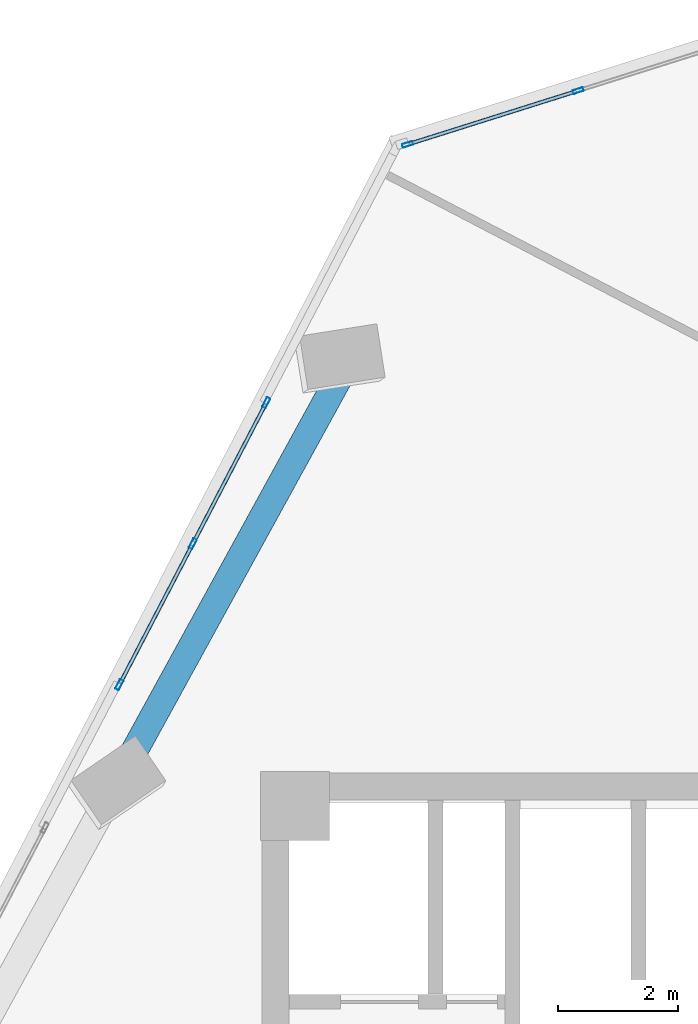
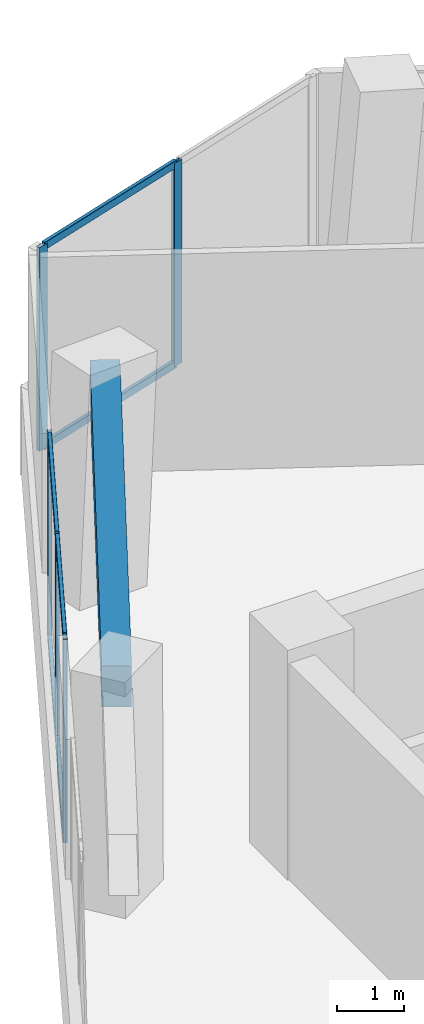
# One storey, part 12 of 22: 11 members, 1 beam, 2 elements without a shape of their own.
"""IFC4 building model written with IfcOpenShell, lengths in metres."""

from ifc_helpers import new_model, si_unit, direction, frame, origin, origin_2d, place, context, subcontext, project, spatial, rectangle, hollow_rectangle, extrude, source, transform, mapped, material, material_profile, profile_set, type_object, element, aggregate, save


model = new_model("IFC4")

# Units and contexts
model_context = context("Model", 3, precision=1e-05, world=origin(), true_north=direction((0.0, 1.0)))
body_context = subcontext(model_context, "Body", "Model", "MODEL_VIEW")
ifc_project = project(units=[si_unit("LENGTHUNIT", "METRE"), si_unit("AREAUNIT", "SQUARE_METRE"), si_unit("VOLUMEUNIT", "CUBIC_METRE"), si_unit("PLANEANGLEUNIT", "RADIAN"), si_unit("MASSUNIT", "GRAM", prefix="KILO")], contexts=[model_context])

# Site, building, storey
site_placement = place(None, origin())
site = spatial("IfcSite", under=ifc_project, at=site_placement, CompositionType="ELEMENT")
building_placement = place(site_placement, origin())
building = spatial("IfcBuilding", under=site, at=building_placement, Name="Torre Montelarca", CompositionType="ELEMENT")
storey_placement = place(building_placement, frame((0.0, 0.0, 170.800048828125)))
storey = spatial("IfcBuildingStorey", under=building, at=storey_placement, Name="L38", CompositionType="ELEMENT", Elevation=170.800048828125)

# Beam
ifc_material_1 = material(Name="Concrete C55/67", Category="concrete")
ifc_material_profile_1 = material_profile(ifc_material_1, rectangle(XDim=0.449951171875, YDim=0.75, at=origin_2d()), Name="RCB450X750", Category="concrete")
ifc_profile_set_1 = profile_set([ifc_material_profile_1], Name="Concrete C55/67")
beam_type = type_object("IfcBeamType", Name="BM-SP-RC750-EXT", PredefinedType="SPANDREL", material=ifc_profile_set_1)
shared_shape_1 = source(origin(), body_context, "Body", "SweptSolid", [
    extrude(rectangle(XDim=0.449951171875, YDim=0.75, at=origin_2d()), origin(), (0.0, 0.0, 1.0), 7.999755859375),
])
beam_placement = place(storey_placement, frame((6.727294921875, 40.104736328125, 3.5849609375), z_axis=(0.480995325284, 0.876723158731, 0.0), x_axis=(-0.876723158731, 0.480995325284, 0.0)))
element("IfcBeam", 1, at=beam_placement, inside=storey, type_object=beam_type, Name="L38 Grid Girder Y 32.0-40.0 at X=4.7", PredefinedType="SPANDREL", context=body_context, shape_type="MappedRepresentation", body=[
    mapped(shared_shape_1, transform((0.0, 0.0, 0.0), scale=1.0)),
])

# Curtain wall, members
ifc_material_2 = material(Name="Insulated low-E laminated glass", Category="glass")
curtain_wall_type = type_object("IfcCurtainWallType", Name="CW-SYS-Z2", PredefinedType="USERDEFINED", material=ifc_material_2)
curtain_wall_1_placement = place(storey_placement, origin())
curtain_wall_1 = element("IfcCurtainWall", 2, at=curtain_wall_1_placement, inside=storey, type_object=curtain_wall_type, Name="L38 Curtain Wall Run CW-T3-L38-E09-B1", ObjectType="UNITISED GLAZING", PredefinedType="USERDEFINED")
ifc_material_3 = material(Name="Anodised aluminium AA 6063-T6", Category="aluminium")
ifc_material_profile_2 = material_profile(ifc_material_3, hollow_rectangle(XDim=0.06494140625, YDim=0.139892578125, WallThickness=0.00390625, InnerFilletRadius=0.00390625, OuterFilletRadius=0.008056640625, at=origin_2d()), Name="ALU65X140X4", Category="aluminium")
ifc_profile_set_2 = profile_set([ifc_material_profile_2], Name="Anodised aluminium AA 6063-T6")
member_type_1 = type_object("IfcMemberType", Name="CWT-ALU140", PredefinedType="USERDEFINED", material=ifc_profile_set_2)
shared_shape_2 = source(origin(), body_context, "Body", "SweptSolid", [
    extrude(hollow_rectangle(XDim=0.06494140625, YDim=0.139892578125, WallThickness=0.00390625, InnerFilletRadius=0.00390625, OuterFilletRadius=0.008056640625, at=origin_2d()), origin(), (0.0, 0.0, 1.0), 2.91845703125),
])
member_1_placement = place(storey_placement, frame((14.2451171875, 51.3740234375, 0.032470703125), z_axis=(-0.953710269036, -0.300726990368, 0.0), x_axis=(0.300726990368, -0.953710269036, 0.0)))
member_1 = element("IfcMember", 3, at=member_1_placement, type_object=member_type_1, Name="CW transom 2.1", ObjectType="TRANSOM", PredefinedType="USERDEFINED", context=body_context, shape_type="MappedRepresentation", body=[
    mapped(shared_shape_2, transform((0.0, 0.0, 0.0), scale=1.0)),
])
member_2_placement = place(storey_placement, frame((14.2451171875, 51.3740234375, 3.6875), z_axis=(-0.953710269036, -0.300726990368, 0.0), x_axis=(0.300726990368, -0.953710269036, 0.0)))
member_2 = element("IfcMember", 4, at=member_2_placement, type_object=member_type_1, Name="CW transom 2.2", ObjectType="TRANSOM", PredefinedType="USERDEFINED", context=body_context, shape_type="MappedRepresentation", body=[
    mapped(shared_shape_2, transform((0.0, 0.0, 0.0), scale=1.0)),
])

curtain_wall_2_placement = place(storey_placement, origin())
curtain_wall_2 = element("IfcCurtainWall", 5, at=curtain_wall_2_placement, inside=storey, type_object=curtain_wall_type, Name="L38 Curtain Wall Run CW-T3-L38-E10-B1", ObjectType="UNITISED GLAZING", PredefinedType="USERDEFINED")
shared_shape_3 = source(origin(), body_context, "Body", "SweptSolid", [
    extrude(hollow_rectangle(XDim=0.06494140625, YDim=0.139892578125, WallThickness=0.00390625, InnerFilletRadius=0.00390625, OuterFilletRadius=0.008056640625, at=origin_2d()), origin(), (0.0, 0.0, 1.0), 2.588623046875),
])
member_3_placement = place(storey_placement, frame((9.057373046875, 46.14892578125, 0.032470703125), z_axis=(-0.461753576694, -0.887008249347, 0.0), x_axis=(0.887008249347, -0.461753576694, 0.0)))
member_3 = element("IfcMember", 6, at=member_3_placement, type_object=member_type_1, Name="CW transom 1.1", ObjectType="TRANSOM", PredefinedType="USERDEFINED", context=body_context, shape_type="MappedRepresentation", body=[
    mapped(shared_shape_3, transform((0.0, 0.0, 0.0), scale=1.0)),
])
member_4_placement = place(storey_placement, frame((9.057373046875, 46.14892578125, 3.6875), z_axis=(-0.461753576694, -0.887008249347, 0.0), x_axis=(0.887008249347, -0.461753576694, 0.0)))
member_4 = element("IfcMember", 7, at=member_4_placement, type_object=member_type_1, Name="CW transom 1.2", ObjectType="TRANSOM", PredefinedType="USERDEFINED", context=body_context, shape_type="MappedRepresentation", body=[
    mapped(shared_shape_3, transform((0.0, 0.0, 0.0), scale=1.0)),
])
member_5_placement = place(storey_placement, frame((7.83203125, 43.795166015625, 0.032470703125), z_axis=(-0.461753576694, -0.887008249347, 0.0), x_axis=(0.887008249347, -0.461753576694, 0.0)))
member_5 = element("IfcMember", 8, at=member_5_placement, type_object=member_type_1, Name="CW transom 2.1", ObjectType="TRANSOM", PredefinedType="USERDEFINED", context=body_context, shape_type="MappedRepresentation", body=[
    mapped(shared_shape_3, transform((0.0, 0.0, 0.0), scale=1.0)),
])
member_6_placement = place(storey_placement, frame((7.83203125, 43.795166015625, 3.6875), z_axis=(-0.461753576694, -0.887008249347, 0.0), x_axis=(0.887008249347, -0.461753576694, 0.0)))
member_6 = element("IfcMember", 9, at=member_6_placement, type_object=member_type_1, Name="CW transom 2.2", ObjectType="TRANSOM", PredefinedType="USERDEFINED", context=body_context, shape_type="MappedRepresentation", body=[
    mapped(shared_shape_3, transform((0.0, 0.0, 0.0), scale=1.0)),
])

# Member
ifc_material_profile_3 = material_profile(ifc_material_3, hollow_rectangle(XDim=0.06494140625, YDim=0.179931640625, WallThickness=0.00390625, InnerFilletRadius=0.00390625, OuterFilletRadius=0.008056640625, at=origin_2d()), Name="ALU65X180X4", Category="aluminium")
ifc_profile_set_3 = profile_set([ifc_material_profile_3], Name="Anodised aluminium AA 6063-T6")
member_type_2 = type_object("IfcMemberType", Name="CWM-ALU180", PredefinedType="MULLION", material=ifc_profile_set_3)
shared_shape_4 = source(origin(), body_context, "Body", "SweptSolid", [
    extrude(hollow_rectangle(XDim=0.06494140625, YDim=0.179931640625, WallThickness=0.00390625, InnerFilletRadius=0.00390625, OuterFilletRadius=0.008056640625, at=origin_2d()), origin(), (0.0, 0.0, 1.0), 3.719970703125),
])
member_7_placement = place(storey_placement, frame((14.276123046875, 51.3837890625, 0.0), z_axis=(0.0, 0.0, 1.0), x_axis=(0.30069894448, -0.953719112102, 0.0)))
member_7 = element("IfcMember", 10, at=member_7_placement, type_object=member_type_2, Name="CW mullion 2", PredefinedType="MULLION", context=body_context, shape_type="MappedRepresentation", body=[
    mapped(shared_shape_4, transform((0.0, 0.0, 0.0), scale=1.0)),
])

member_8_placement = place(storey_placement, frame((11.4306640625, 50.486572265625, 0.0), z_axis=(0.0, 0.0, 1.0), x_axis=(0.30069894448, -0.953719112102, 0.0)))
member_8 = element("IfcMember", 11, at=member_8_placement, type_object=member_type_2, Name="CW mullion 3", PredefinedType="MULLION", context=body_context, shape_type="MappedRepresentation", body=[
    mapped(shared_shape_4, transform((0.0, 0.0, 0.0), scale=1.0)),
])

aggregate(curtain_wall_1, [member_7, member_8, member_1, member_2])

member_9_placement = place(storey_placement, frame((9.072509765625, 46.177978515625, 0.0), z_axis=(0.0, 0.0, 1.0), x_axis=(0.887011612526, -0.461747116119, 0.0)))
member_9 = element("IfcMember", 12, at=member_9_placement, type_object=member_type_2, Name="CW mullion 1", PredefinedType="MULLION", context=body_context, shape_type="MappedRepresentation", body=[
    mapped(shared_shape_4, transform((0.0, 0.0, 0.0), scale=1.0)),
])

member_10_placement = place(storey_placement, frame((7.84716796875, 43.823974609375, 0.0), z_axis=(0.0, 0.0, 1.0), x_axis=(0.887011612526, -0.461747116119, 0.0)))
member_10 = element("IfcMember", 13, at=member_10_placement, type_object=member_type_2, Name="CW mullion 2", PredefinedType="MULLION", context=body_context, shape_type="MappedRepresentation", body=[
    mapped(shared_shape_4, transform((0.0, 0.0, 0.0), scale=1.0)),
])

member_11_placement = place(storey_placement, frame((6.621826171875, 41.47021484375, 0.0), z_axis=(0.0, 0.0, 1.0), x_axis=(0.887011612526, -0.461747116119, 0.0)))
member_11 = element("IfcMember", 14, at=member_11_placement, type_object=member_type_2, Name="CW mullion 3", PredefinedType="MULLION", context=body_context, shape_type="MappedRepresentation", body=[
    mapped(shared_shape_4, transform((0.0, 0.0, 0.0), scale=1.0)),
])

aggregate(curtain_wall_2, [member_9, member_10, member_11, member_3, member_4, member_5, member_6])

save(model, "model.ifc")
